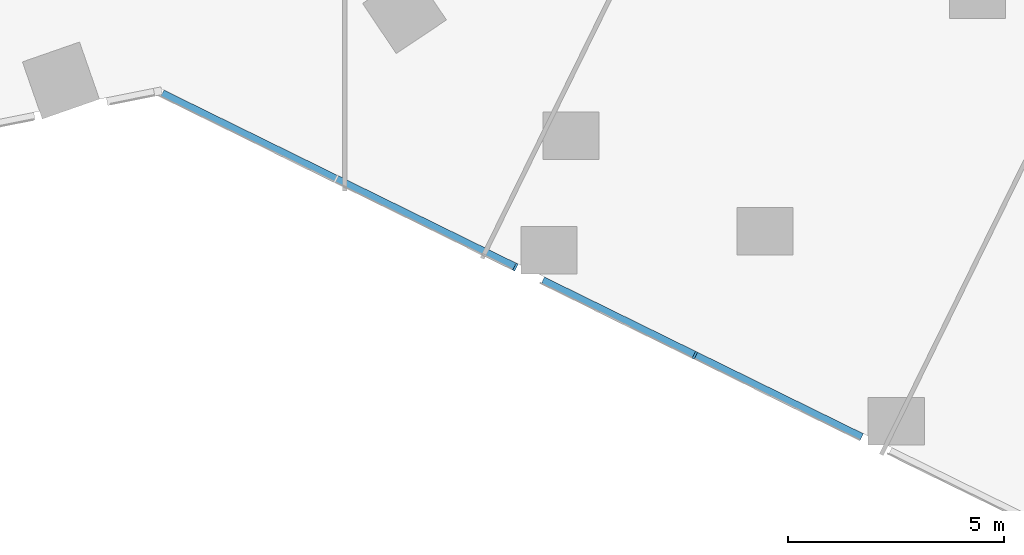
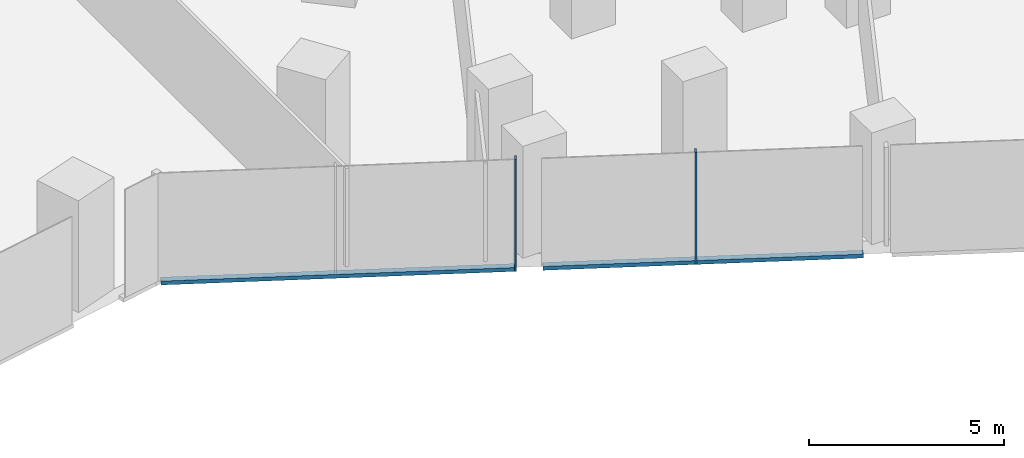
# One storey, part 9 of 38: 4 members, 1 element without a shape of its own.
"""IFC4 building model written with IfcOpenShell, lengths in metres."""

from ifc_helpers import new_model, si_unit, direction, frame, origin, origin_2d, place, context, subcontext, project, spatial, rectangle, extrude, material, material_profile, profile_set, type_object, element, aggregate, save


model = new_model("IFC4")

# Units and contexts
model_context = context("Model", 3, precision=1e-05, world=origin(), true_north=direction((0.0, 1.0)))
body_context = subcontext(model_context, "Body", "Model", "MODEL_VIEW")
ifc_project = project(units=[si_unit("LENGTHUNIT", "METRE"), si_unit("AREAUNIT", "SQUARE_METRE"), si_unit("VOLUMEUNIT", "CUBIC_METRE"), si_unit("PLANEANGLEUNIT", "RADIAN"), si_unit("MASSUNIT", "GRAM", prefix="KILO")], contexts=[model_context])

# Site, building, storey
site_placement = place(None, origin())
site = spatial("IfcSite", under=ifc_project, at=site_placement, CompositionType="ELEMENT")
building_placement = place(site_placement, origin())
building = spatial("IfcBuilding", under=site, at=building_placement, Name="Orlundy Tower", CompositionType="ELEMENT")
storey_placement = place(building_placement, frame((0.0, 0.0, 62.300048828125)))
storey = spatial("IfcBuildingStorey", under=building, at=storey_placement, Name="L14", CompositionType="ELEMENT", Elevation=62.300048828125)

# Curtain wall, members
ifc_material_1 = material(Name="Aluminium bronze anodised", Category="aluminium")
curtain_wall_type = type_object("IfcCurtainWallType", Name="CW1 wall", PredefinedType="NOTDEFINED", material=ifc_material_1)
curtain_wall_placement = place(storey_placement, origin())
curtain_wall = element("IfcCurtainWall", 1, at=curtain_wall_placement, inside=storey, type_object=curtain_wall_type, Name="CW1 run 00", PredefinedType="NOTDEFINED")
ifc_material_2 = material(Name="Aluminium bronze anodised", Category="aluminium")
ifc_material_profile_1 = material_profile(ifc_material_2, rectangle(XDim=0.179931640625, YDim=0.050048828125, at=origin_2d()), Name="CW1 mullion 50x180")
ifc_profile_set_1 = profile_set([ifc_material_profile_1], Name="Aluminium bronze anodised")
member_type_1 = type_object("IfcMemberType", Name="CW1 mullion 50x180", PredefinedType="MULLION", material=ifc_profile_set_1)
member_1_placement = place(storey_placement, frame((24.44580078125, -34.394775390625, -0.400146484375), z_axis=(0.0, 0.0, 1.0), x_axis=(-0.440968989984, -0.897522339484, 0.0)))
member_1 = element("IfcMember", 2, at=member_1_placement, type_object=member_type_1, Name="CW1 mullion 4", PredefinedType="MULLION", context=body_context, shape_type="SweptSolid", body=[
    extrude(rectangle(XDim=0.179931640625, YDim=0.050048828125, at=origin_2d()), origin(), (0.0, 0.0, 1.0), 3.5),
])
member_2_placement = place(storey_placement, frame((20.28955078125, -32.352783203125, -0.400146484375), z_axis=(0.0, 0.0, 1.0), x_axis=(-0.440968989984, -0.897522339484, 0.0)))
member_2 = element("IfcMember", 3, at=member_2_placement, type_object=member_type_1, Name="CW1 mullion 5", PredefinedType="MULLION", context=body_context, shape_type="SweptSolid", body=[
    extrude(rectangle(XDim=0.179931640625, YDim=0.050048828125, at=origin_2d()), origin(), (0.0, 0.0, 1.0), 3.5),
])
ifc_material_3 = material(Name="Aluminium bronze anodised", Category="aluminium")
ifc_material_profile_2 = material_profile(ifc_material_3, rectangle(XDim=0.179931640625, YDim=0.1201171875, at=origin_2d()), Name="CW1 transom 180x120")
ifc_profile_set_2 = profile_set([ifc_material_profile_2], Name="Aluminium bronze anodised")
member_type_2 = type_object("IfcMemberType", Name="CW1 transom 180x120", PredefinedType="USERDEFINED", material=ifc_profile_set_2)
member_3_placement = place(storey_placement, frame((28.31103515625, -36.293701171875, -0.340087890625), z_axis=(-0.897531468233, 0.440950409379, 0.0), x_axis=(-0.440950409379, -0.897531468233, 0.0)))
member_3 = element("IfcMember", 4, at=member_3_placement, type_object=member_type_2, Name="CW1 transom", ObjectType="TRANSOM", PredefinedType="USERDEFINED", context=body_context, shape_type="SweptSolid", body=[
    extrude(rectangle(XDim=0.179931640625, YDim=0.1201171875, at=origin_2d()), origin(), (0.0, 0.0, 1.0), 8.2314453125),
])
member_4_placement = place(storey_placement, frame((20.262939453125, -32.339599609375, -0.340087890625), z_axis=(-0.897527093527, 0.440959313752, 0.0), x_axis=(-0.440959313752, -0.897527093527, 0.0)))
member_4 = element("IfcMember", 5, at=member_4_placement, type_object=member_type_2, Name="CW1 transom", ObjectType="TRANSOM", PredefinedType="USERDEFINED", context=body_context, shape_type="SweptSolid", body=[
    extrude(rectangle(XDim=0.179931640625, YDim=0.1201171875, at=origin_2d()), origin(), (0.0, 0.0, 1.0), 9.087646484375),
])
aggregate(curtain_wall, [member_1, member_2, member_3, member_4])

save(model, "model.ifc")
